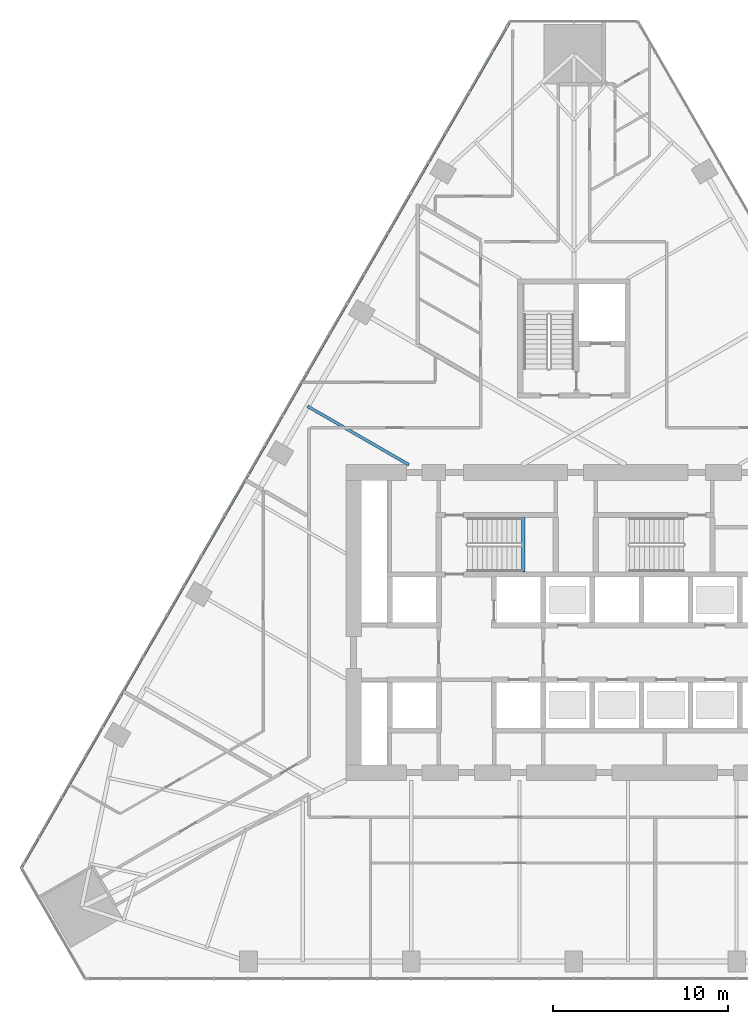
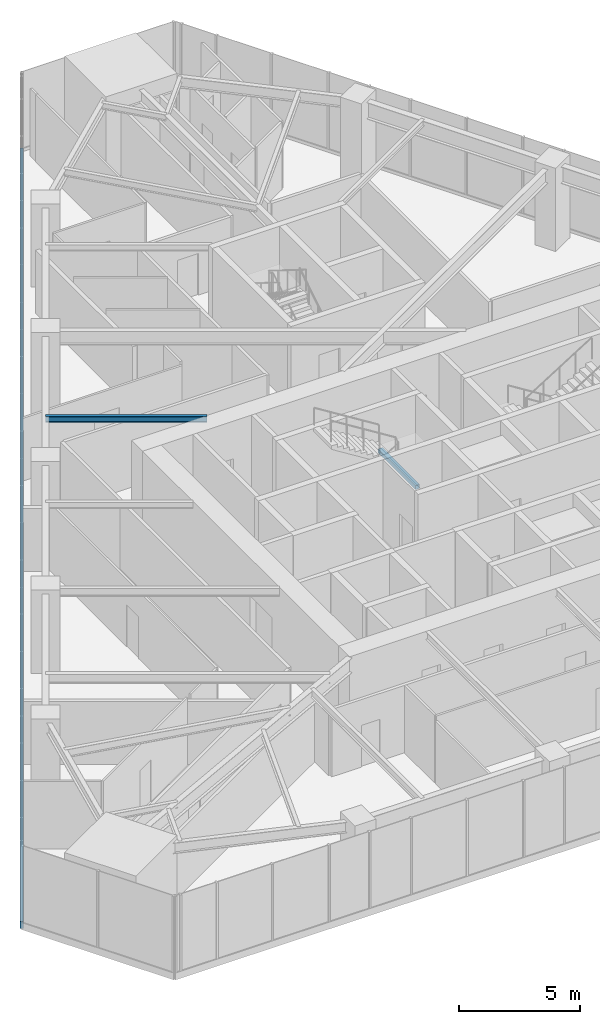
# One storey, part 5 of 22: 2 beams, 1 member, 1 element without a shape of its own.
"""IFC4 building model written with IfcOpenShell, lengths in metres."""

from ifc_helpers import new_model, si_unit, direction, frame, origin, origin_2d, place, context, subcontext, project, spatial, rectangle, i_section, extrude, material, layer, layer_set, material_profile, profile_set, type_object, element, aggregate, save


model = new_model("IFC4")

# Units and contexts
model_context = context("Model", 3, precision=1e-05, world=origin(), true_north=direction((0.0, 1.0)))
body_context = subcontext(model_context, "Body", "Model", "MODEL_VIEW")
ifc_project = project(units=[si_unit("LENGTHUNIT", "METRE"), si_unit("AREAUNIT", "SQUARE_METRE"), si_unit("VOLUMEUNIT", "CUBIC_METRE"), si_unit("PLANEANGLEUNIT", "RADIAN"), si_unit("MASSUNIT", "GRAM", prefix="KILO")], contexts=[model_context])

# Site, building, storey
site_placement = place(None, origin())
site = spatial("IfcSite", under=ifc_project, at=site_placement, CompositionType="ELEMENT")
building_placement = place(site_placement, origin())
building = spatial("IfcBuilding", under=site, at=building_placement, Name="Firuza Gate Tower and Library", CompositionType="ELEMENT")
storey_placement = place(building_placement, frame((0.0, 0.0, 128.199951171875)))
storey = spatial("IfcBuildingStorey", under=building, at=storey_placement, Name="L29", CompositionType="ELEMENT", Elevation=128.199951171875)

# Curtain wall, member
ifc_material_1 = material(Name="Aluminium 6063-T6", Category="aluminium")
ifc_layer = layer(ifc_material_1, 0.14990234375)
ifc_layer_set = layer_set([ifc_layer], Name="Unitised curtain wall, offices")
curtain_wall_type = type_object("IfcCurtainWallType", Name="Unitised curtain wall, offices", PredefinedType="NOTDEFINED", material=ifc_layer_set)
curtain_wall_placement = place(storey_placement, origin())
curtain_wall = element("IfcCurtainWall", 1, at=curtain_wall_placement, inside=storey, type_object=curtain_wall_type, Name="CW1 L29 W face", PredefinedType="NOTDEFINED")
ifc_material_2 = material(Name="Aluminium 6063-T6", Category="aluminium")
ifc_material_profile_1 = material_profile(ifc_material_2, rectangle(XDim=0.14990234375, YDim=0.35009765625, at=origin_2d()))
ifc_profile_set_1 = profile_set([ifc_material_profile_1], Name="Aluminium 6063-T6")
member_type = type_object("IfcMemberType", Name="Curtain wall transom 350x150", PredefinedType="USERDEFINED", material=ifc_profile_set_1)
member_placement = place(storey_placement, frame((71.356689453125, 109.273681640625, -0.02490234375), z_axis=(-0.499998060823, -0.866026523366, 0.0), x_axis=(0.866026523366, -0.499998060823, 0.0)))
member = element("IfcMember", 2, at=member_placement, type_object=member_type, Name="Transom", ObjectType="TRANSOM", PredefinedType="USERDEFINED", context=body_context, shape_type="SweptSolid", body=[
    extrude(rectangle(XDim=0.14990234375, YDim=0.35009765625, at=origin_2d()), origin(), (0.0, 0.0, 1.0), 55.720458984375),
])
aggregate(curtain_wall, [member])

# Beams
ifc_material_3 = material(Name="Concrete C35/45", Category="concrete")
ifc_material_profile_2 = material_profile(ifc_material_3, rectangle(XDim=0.199951171875, YDim=0.199951171875, at=origin_2d()))
ifc_profile_set_2 = profile_set([ifc_material_profile_2], Name="Concrete C35/45")
beam_type_1 = type_object("IfcBeamType", Name="Stair landing bearer 200x200", PredefinedType="BEAM", material=ifc_profile_set_2)
beam_1_placement = place(storey_placement, frame((72.1201171875, 77.89990234375, 1.800048828125), z_axis=(0.0, 1.0, 0.0), x_axis=(-1.0, 0.0, 0.0)))
element("IfcBeam", 3, at=beam_1_placement, inside=storey, type_object=beam_type_1, Name="Landing bearer L29 stair 1", PredefinedType="BEAM", context=body_context, shape_type="SweptSolid", body=[
    extrude(rectangle(XDim=0.199951171875, YDim=0.199951171875, at=origin_2d()), origin(), (0.0, 0.0, 1.0), 3.080078125),
])
ifc_material_4 = material(Name="Steel S355", Category="steel")
ifc_material_profile_3 = material_profile(ifc_material_4, i_section(OverallWidth=0.1650390625, OverallDepth=0.31005859375, WebThickness=0.005859375, FlangeThickness=0.009765625, at=origin_2d()))
ifc_profile_set_3 = profile_set([ifc_material_profile_3], Name="Steel S355")
beam_type_2 = type_object("IfcBeamType", Name="W310x39 Floor beam", PredefinedType="JOIST", material=ifc_profile_set_3)
beam_2_placement = place(storey_placement, frame((59.81640625, 87.335205078125, 3.844970703125), z_axis=(0.866020406929, -0.500008654708, 0.0), x_axis=(0.500008654708, 0.866020406929, 0.0)))
element("IfcBeam", 4, at=beam_2_placement, inside=storey, type_object=beam_type_2, Name="Floor beam L29 s82", PredefinedType="JOIST", context=body_context, shape_type="SweptSolid", body=[
    extrude(i_section(OverallWidth=0.1650390625, OverallDepth=0.31005859375, WebThickness=0.005859375, FlangeThickness=0.009765625, at=origin_2d()), origin(), (0.0, 0.0, 1.0), 6.67041015625),
])

save(model, "model.ifc")
